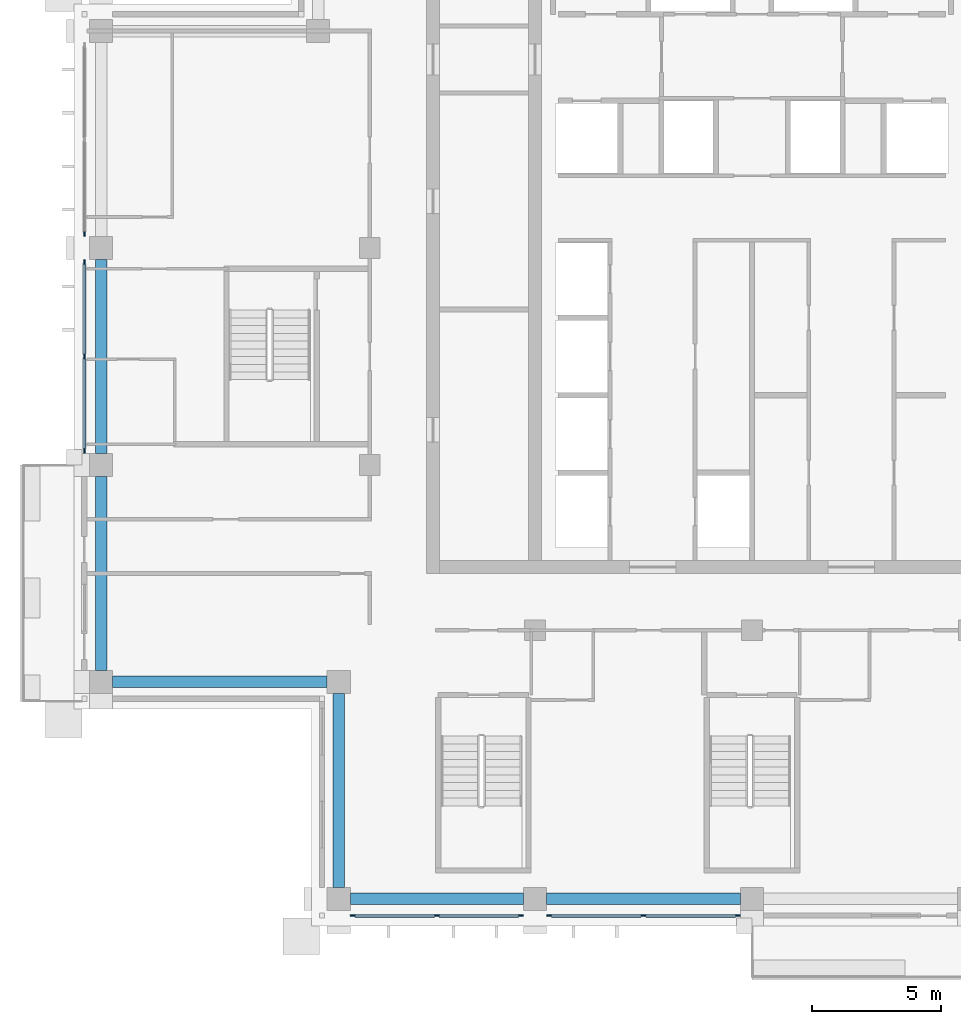
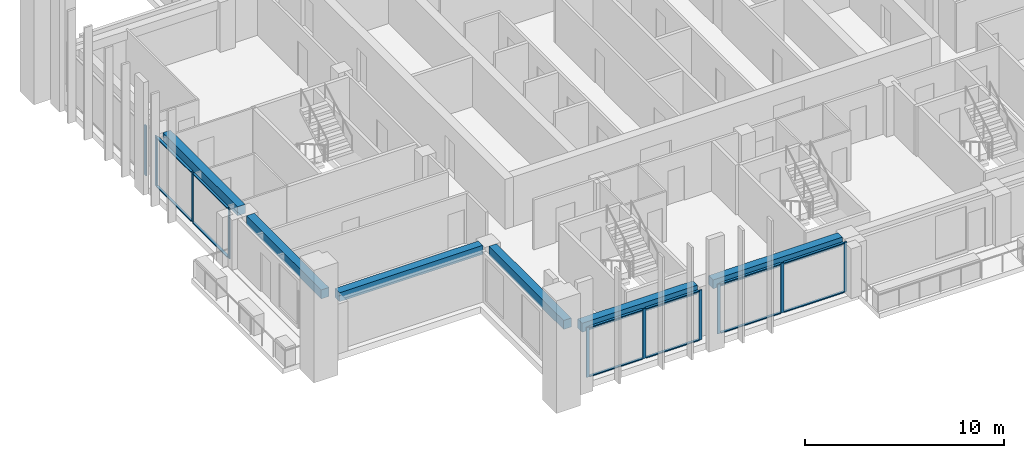
# One storey, part 2 of 18: 22 members, 6 beams, 4 elements without a shape of their own.
"""IFC4 building model written with IfcOpenShell, lengths in metres."""

from ifc_helpers import new_model, si_unit, direction, frame, origin, origin_2d, place, context, subcontext, project, spatial, rectangle, extrude, material, material_profile, profile_set, type_object, element, aggregate, save


model = new_model("IFC4")

# Units and contexts
model_context = context("Model", 3, precision=1e-05, world=origin(), true_north=direction((0.0, 1.0)))
body_context = subcontext(model_context, "Body", "Model", "MODEL_VIEW")
ifc_project = project(units=[si_unit("LENGTHUNIT", "METRE"), si_unit("AREAUNIT", "SQUARE_METRE"), si_unit("VOLUMEUNIT", "CUBIC_METRE"), si_unit("PLANEANGLEUNIT", "RADIAN"), si_unit("MASSUNIT", "GRAM", prefix="KILO")], contexts=[model_context])

# Site, building, storey
site_placement = place(None, origin())
site = spatial("IfcSite", under=ifc_project, at=site_placement, CompositionType="ELEMENT")
building_placement = place(site_placement, origin())
building = spatial("IfcBuilding", under=site, at=building_placement, Name="Vermilion Ogive Tower", CompositionType="ELEMENT")
storey_placement = place(building_placement, frame((0.0, 0.0, 254.5)))
storey = spatial("IfcBuildingStorey", under=building, at=storey_placement, Name="L67", CompositionType="ELEMENT", Elevation=254.5)

# Curtain wall, members
ifc_material_1 = material(Name="Low-iron laminated glazing in aluminium frame", Category="aluminium")
curtain_wall_type = type_object("IfcCurtainWallType", Name="Curtain wall CW7", PredefinedType="NOTDEFINED", material=ifc_material_1)
curtain_wall_1_placement = place(storey_placement, origin())
curtain_wall_1 = element("IfcCurtainWall", 1, at=curtain_wall_1_placement, inside=storey, type_object=curtain_wall_type, Name="Glazed skin S1", PredefinedType="NOTDEFINED")
ifc_material_2 = material(Name="Aluminium mullion", Category="aluminium")
ifc_material_profile_1 = material_profile(ifc_material_2, rectangle(XDim=0.06005859375, YDim=0.179931640625, at=origin_2d()), Name="AL 60x180")
ifc_profile_set_1 = profile_set([ifc_material_profile_1], Name="Aluminium mullion")
member_type_1 = type_object("IfcMemberType", Name="CW7 mullion 60x180", PredefinedType="MULLION", material=ifc_profile_set_1)
member_1_placement = place(storey_placement, frame((-15.4599609375, -21.64990234375, 0.0), z_axis=(0.0, 0.0, 1.0), x_axis=(0.0, 1.0, 0.0)))
member_1 = element("IfcMember", 2, at=member_1_placement, type_object=member_type_1, Name="CW7-S1 mullion 1", PredefinedType="MULLION", context=body_context, shape_type="SweptSolid", body=[
    extrude(rectangle(XDim=0.06005859375, YDim=0.179931640625, at=origin_2d()), origin(), (0.0, 0.0, 1.0), 3.050048828125),
])
member_2_placement = place(storey_placement, frame((-12.199951171875, -21.64990234375, 0.0), z_axis=(0.0, 0.0, 1.0), x_axis=(0.0, 1.0, 0.0)))
member_2 = element("IfcMember", 3, at=member_2_placement, type_object=member_type_1, Name="CW7-S1 mullion 2", PredefinedType="MULLION", context=body_context, shape_type="SweptSolid", body=[
    extrude(rectangle(XDim=0.06005859375, YDim=0.179931640625, at=origin_2d()), origin(), (0.0, 0.0, 1.0), 3.050048828125),
])
member_3_placement = place(storey_placement, frame((-8.93994140625, -21.64990234375, 0.0), z_axis=(0.0, 0.0, 1.0), x_axis=(0.0, 1.0, 0.0)))
member_3 = element("IfcMember", 4, at=member_3_placement, type_object=member_type_1, Name="CW7-S1 mullion 3", PredefinedType="MULLION", context=body_context, shape_type="SweptSolid", body=[
    extrude(rectangle(XDim=0.06005859375, YDim=0.179931640625, at=origin_2d()), origin(), (0.0, 0.0, 1.0), 3.050048828125),
])

curtain_wall_2_placement = place(storey_placement, origin())
curtain_wall_2 = element("IfcCurtainWall", 5, at=curtain_wall_2_placement, inside=storey, type_object=curtain_wall_type, Name="Glazed skin S2", PredefinedType="NOTDEFINED")
member_4_placement = place(storey_placement, frame((-7.860107421875, -21.64990234375, 0.0), z_axis=(0.0, 0.0, 1.0), x_axis=(0.0, 1.0, 0.0)))
member_4 = element("IfcMember", 6, at=member_4_placement, type_object=member_type_1, Name="CW7-S2 mullion 1", PredefinedType="MULLION", context=body_context, shape_type="SweptSolid", body=[
    extrude(rectangle(XDim=0.06005859375, YDim=0.179931640625, at=origin_2d()), origin(), (0.0, 0.0, 1.0), 3.050048828125),
])
member_5_placement = place(storey_placement, frame((-4.199951171875, -21.64990234375, 0.0), z_axis=(0.0, 0.0, 1.0), x_axis=(0.0, 1.0, 0.0)))
member_5 = element("IfcMember", 7, at=member_5_placement, type_object=member_type_1, Name="CW7-S2 mullion 2", PredefinedType="MULLION", context=body_context, shape_type="SweptSolid", body=[
    extrude(rectangle(XDim=0.06005859375, YDim=0.179931640625, at=origin_2d()), origin(), (0.0, 0.0, 1.0), 3.050048828125),
])
member_6_placement = place(storey_placement, frame((-0.5400390625, -21.64990234375, 0.0), z_axis=(0.0, 0.0, 1.0), x_axis=(0.0, 1.0, 0.0)))
member_6 = element("IfcMember", 8, at=member_6_placement, type_object=member_type_1, Name="CW7-S2 mullion 3", PredefinedType="MULLION", context=body_context, shape_type="SweptSolid", body=[
    extrude(rectangle(XDim=0.06005859375, YDim=0.179931640625, at=origin_2d()), origin(), (0.0, 0.0, 1.0), 3.050048828125),
])

# Curtain wall, member
curtain_wall_3_placement = place(storey_placement, origin())
curtain_wall_3 = element("IfcCurtainWall", 9, at=curtain_wall_3_placement, inside=storey, type_object=curtain_wall_type, Name="Glazed skin W1", PredefinedType="NOTDEFINED")
member_7_placement = place(storey_placement, frame((-25.85009765625, 4.739990234375, 0.0), z_axis=(0.0, 0.0, 1.0), x_axis=(1.0, 0.0, 0.0)))
member_7 = element("IfcMember", 10, at=member_7_placement, type_object=member_type_1, Name="CW7-W1 mullion 3", PredefinedType="MULLION", context=body_context, shape_type="SweptSolid", body=[
    extrude(rectangle(XDim=0.06005859375, YDim=0.179931640625, at=origin_2d()), origin(), (0.0, 0.0, 1.0), 3.050048828125),
])
aggregate(curtain_wall_3, [member_7])

# Curtain wall, members
curtain_wall_4_placement = place(storey_placement, origin())
curtain_wall_4 = element("IfcCurtainWall", 11, at=curtain_wall_4_placement, inside=storey, type_object=curtain_wall_type, Name="Glazed skin W2", PredefinedType="NOTDEFINED")
member_8_placement = place(storey_placement, frame((-25.85009765625, 3.659912109375, 0.0), z_axis=(0.0, 0.0, 1.0), x_axis=(1.0, 0.0, 0.0)))
member_8 = element("IfcMember", 12, at=member_8_placement, type_object=member_type_1, Name="CW7-W2 mullion 1", PredefinedType="MULLION", context=body_context, shape_type="SweptSolid", body=[
    extrude(rectangle(XDim=0.06005859375, YDim=0.179931640625, at=origin_2d()), origin(), (0.0, 0.0, 1.0), 3.050048828125),
])
member_9_placement = place(storey_placement, frame((-25.85009765625, 0.0, 0.0), z_axis=(0.0, 0.0, 1.0), x_axis=(1.0, 0.0, 0.0)))
member_9 = element("IfcMember", 13, at=member_9_placement, type_object=member_type_1, Name="CW7-W2 mullion 2", PredefinedType="MULLION", context=body_context, shape_type="SweptSolid", body=[
    extrude(rectangle(XDim=0.06005859375, YDim=0.179931640625, at=origin_2d()), origin(), (0.0, 0.0, 1.0), 3.050048828125),
])
member_10_placement = place(storey_placement, frame((-25.85009765625, -3.659912109375, 0.0), z_axis=(0.0, 0.0, 1.0), x_axis=(1.0, 0.0, 0.0)))
member_10 = element("IfcMember", 14, at=member_10_placement, type_object=member_type_1, Name="CW7-W2 mullion 3", PredefinedType="MULLION", context=body_context, shape_type="SweptSolid", body=[
    extrude(rectangle(XDim=0.06005859375, YDim=0.179931640625, at=origin_2d()), origin(), (0.0, 0.0, 1.0), 3.050048828125),
])

# Member
ifc_material_3 = material(Name="Aluminium transom", Category="aluminium")
ifc_material_profile_2 = material_profile(ifc_material_3, rectangle(XDim=0.139892578125, YDim=0.06005859375, at=origin_2d()), Name="AL 60x140")
ifc_profile_set_2 = profile_set([ifc_material_profile_2], Name="Aluminium transom")
member_type_2 = type_object("IfcMemberType", Name="CW7 transom 60x140", PredefinedType="USERDEFINED", material=ifc_profile_set_2)
member_11_placement = place(storey_placement, frame((-15.3701171875, -21.64990234375, 0.030029296875), z_axis=(1.0, 0.0, 0.0), x_axis=(0.0, 1.0, 0.0)))
member_11 = element("IfcMember", 15, at=member_11_placement, type_object=member_type_2, Name="CW7-S1 transom 1.1", ObjectType="TRANSOM", PredefinedType="USERDEFINED", context=body_context, shape_type="SweptSolid", body=[
    extrude(rectangle(XDim=0.139892578125, YDim=0.06005859375, at=origin_2d()), origin(), (0.0, 0.0, 1.0), 3.080078125),
])

member_12_placement = place(storey_placement, frame((-15.3701171875, -21.64990234375, 3.02001953125), z_axis=(1.0, 0.0, 0.0), x_axis=(0.0, 1.0, 0.0)))
member_12 = element("IfcMember", 16, at=member_12_placement, type_object=member_type_2, Name="CW7-S1 transom 1.2", ObjectType="TRANSOM", PredefinedType="USERDEFINED", context=body_context, shape_type="SweptSolid", body=[
    extrude(rectangle(XDim=0.139892578125, YDim=0.06005859375, at=origin_2d()), origin(), (0.0, 0.0, 1.0), 3.080078125),
])

member_13_placement = place(storey_placement, frame((-12.110107421875, -21.64990234375, 0.030029296875), z_axis=(1.0, 0.0, 0.0), x_axis=(0.0, 1.0, 0.0)))
member_13 = element("IfcMember", 17, at=member_13_placement, type_object=member_type_2, Name="CW7-S1 transom 2.1", ObjectType="TRANSOM", PredefinedType="USERDEFINED", context=body_context, shape_type="SweptSolid", body=[
    extrude(rectangle(XDim=0.139892578125, YDim=0.06005859375, at=origin_2d()), origin(), (0.0, 0.0, 1.0), 3.080078125),
])

member_14_placement = place(storey_placement, frame((-12.110107421875, -21.64990234375, 3.02001953125), z_axis=(1.0, 0.0, 0.0), x_axis=(0.0, 1.0, 0.0)))
member_14 = element("IfcMember", 18, at=member_14_placement, type_object=member_type_2, Name="CW7-S1 transom 2.2", ObjectType="TRANSOM", PredefinedType="USERDEFINED", context=body_context, shape_type="SweptSolid", body=[
    extrude(rectangle(XDim=0.139892578125, YDim=0.06005859375, at=origin_2d()), origin(), (0.0, 0.0, 1.0), 3.080078125),
])

aggregate(curtain_wall_1, [member_1, member_2, member_3, member_11, member_12, member_13, member_14])

member_15_placement = place(storey_placement, frame((-7.77001953125, -21.64990234375, 0.030029296875), z_axis=(1.0, 0.0, 0.0), x_axis=(0.0, 1.0, 0.0)))
member_15 = element("IfcMember", 19, at=member_15_placement, type_object=member_type_2, Name="CW7-S2 transom 1.1", ObjectType="TRANSOM", PredefinedType="USERDEFINED", context=body_context, shape_type="SweptSolid", body=[
    extrude(rectangle(XDim=0.139892578125, YDim=0.06005859375, at=origin_2d()), origin(), (0.0, 0.0, 1.0), 3.47998046875),
])

member_16_placement = place(storey_placement, frame((-7.77001953125, -21.64990234375, 3.02001953125), z_axis=(1.0, 0.0, 0.0), x_axis=(0.0, 1.0, 0.0)))
member_16 = element("IfcMember", 20, at=member_16_placement, type_object=member_type_2, Name="CW7-S2 transom 1.2", ObjectType="TRANSOM", PredefinedType="USERDEFINED", context=body_context, shape_type="SweptSolid", body=[
    extrude(rectangle(XDim=0.139892578125, YDim=0.06005859375, at=origin_2d()), origin(), (0.0, 0.0, 1.0), 3.47998046875),
])

member_17_placement = place(storey_placement, frame((-4.110107421875, -21.64990234375, 0.030029296875), z_axis=(1.0, 0.0, 0.0), x_axis=(0.0, 1.0, 0.0)))
member_17 = element("IfcMember", 21, at=member_17_placement, type_object=member_type_2, Name="CW7-S2 transom 2.1", ObjectType="TRANSOM", PredefinedType="USERDEFINED", context=body_context, shape_type="SweptSolid", body=[
    extrude(rectangle(XDim=0.139892578125, YDim=0.06005859375, at=origin_2d()), origin(), (0.0, 0.0, 1.0), 3.480224609375),
])

member_18_placement = place(storey_placement, frame((-4.110107421875, -21.64990234375, 3.02001953125), z_axis=(1.0, 0.0, 0.0), x_axis=(0.0, 1.0, 0.0)))
member_18 = element("IfcMember", 22, at=member_18_placement, type_object=member_type_2, Name="CW7-S2 transom 2.2", ObjectType="TRANSOM", PredefinedType="USERDEFINED", context=body_context, shape_type="SweptSolid", body=[
    extrude(rectangle(XDim=0.139892578125, YDim=0.06005859375, at=origin_2d()), origin(), (0.0, 0.0, 1.0), 3.480224609375),
])

aggregate(curtain_wall_2, [member_4, member_5, member_6, member_15, member_16, member_17, member_18])

member_19_placement = place(storey_placement, frame((-25.85009765625, 3.570068359375, 0.030029296875), z_axis=(0.0, -1.0, 0.0), x_axis=(1.0, 0.0, 0.0)))
member_19 = element("IfcMember", 23, at=member_19_placement, type_object=member_type_2, Name="CW7-W2 transom 1.1", ObjectType="TRANSOM", PredefinedType="USERDEFINED", context=body_context, shape_type="SweptSolid", body=[
    extrude(rectangle(XDim=0.139892578125, YDim=0.06005859375, at=origin_2d()), origin(), (0.0, 0.0, 1.0), 3.47998046875),
])

member_20_placement = place(storey_placement, frame((-25.85009765625, 3.570068359375, 3.02001953125), z_axis=(0.0, -1.0, 0.0), x_axis=(1.0, 0.0, 0.0)))
member_20 = element("IfcMember", 24, at=member_20_placement, type_object=member_type_2, Name="CW7-W2 transom 1.2", ObjectType="TRANSOM", PredefinedType="USERDEFINED", context=body_context, shape_type="SweptSolid", body=[
    extrude(rectangle(XDim=0.139892578125, YDim=0.06005859375, at=origin_2d()), origin(), (0.0, 0.0, 1.0), 3.47998046875),
])

member_21_placement = place(storey_placement, frame((-25.85009765625, -0.090087890625, 0.030029296875), z_axis=(0.0, -1.0, 0.0), x_axis=(1.0, 0.0, 0.0)))
member_21 = element("IfcMember", 25, at=member_21_placement, type_object=member_type_2, Name="CW7-W2 transom 2.1", ObjectType="TRANSOM", PredefinedType="USERDEFINED", context=body_context, shape_type="SweptSolid", body=[
    extrude(rectangle(XDim=0.139892578125, YDim=0.06005859375, at=origin_2d()), origin(), (0.0, 0.0, 1.0), 3.47998046875),
])

member_22_placement = place(storey_placement, frame((-25.85009765625, -0.090087890625, 3.02001953125), z_axis=(0.0, -1.0, 0.0), x_axis=(1.0, 0.0, 0.0)))
member_22 = element("IfcMember", 26, at=member_22_placement, type_object=member_type_2, Name="CW7-W2 transom 2.2", ObjectType="TRANSOM", PredefinedType="USERDEFINED", context=body_context, shape_type="SweptSolid", body=[
    extrude(rectangle(XDim=0.139892578125, YDim=0.06005859375, at=origin_2d()), origin(), (0.0, 0.0, 1.0), 3.47998046875),
])

aggregate(curtain_wall_4, [member_8, member_9, member_10, member_19, member_20, member_21, member_22])

# Beams
ifc_material_4 = material(Name="Concrete B45", Category="concrete")
ifc_material_profile_3 = material_profile(ifc_material_4, rectangle(XDim=0.449951171875, YDim=0.550048828125, at=origin_2d()), Name="450 x 550")
ifc_profile_set_3 = profile_set([ifc_material_profile_3], Name="Concrete B45")
beam_type = type_object("IfcBeamType", Name="Edge beam 450 x 550 B45", PredefinedType="BEAM", material=ifc_profile_set_3)
beam_1_placement = place(storey_placement, frame((-15.550048828125, -21.0, 2.77490234375), z_axis=(1.0, 0.0, 0.0), x_axis=(0.0, 1.0, 0.0)))
element("IfcBeam", 27, at=beam_1_placement, inside=storey, type_object=beam_type, Name="L67-EB-1", PredefinedType="BEAM", context=body_context, shape_type="SweptSolid", body=[
    extrude(rectangle(XDim=0.449951171875, YDim=0.550048828125, at=origin_2d()), origin(), (0.0, 0.0, 1.0), 6.699951171875),
])
for number, where, z_axis, x_axis, name in (
    (28, (-7.949951171875, -21.0, 2.77490234375), (1.0, 0.0, 0.0), (0.0, 1.0, 0.0), "L67-EB-2"),
    (29, (-25.199951171875, 3.75, 2.77490234375), (0.0, -1.0, 0.0), (1.0, 0.0, 0.0), "L67-EB-15"),
    (30, (-25.199951171875, -4.64990234375, 2.77490234375), (0.0, -1.0, 0.0), (1.0, 0.0, 0.0), "L67-EB-16"),
):
    element("IfcBeam", number, at=place(storey_placement, frame(where, z_axis=z_axis, x_axis=x_axis)), inside=storey, type_object=beam_type, Name=name, PredefinedType="BEAM", context=body_context, shape_type="SweptSolid", body=[
        extrude(rectangle(XDim=0.449951171875, YDim=0.550048828125, at=origin_2d()), origin(), (0.0, 0.0, 1.0), 7.5),
    ])
beam_2_placement = place(storey_placement, frame((-24.75, -12.60009765625, 2.77490234375), z_axis=(1.0, 0.0, 0.0), x_axis=(0.0, 1.0, 0.0)))
element("IfcBeam", 31, at=beam_2_placement, inside=storey, type_object=beam_type, Name="L67-EB-17", PredefinedType="BEAM", context=body_context, shape_type="SweptSolid", body=[
    extrude(rectangle(XDim=0.449951171875, YDim=0.550048828125, at=origin_2d()), origin(), (0.0, 0.0, 1.0), 8.300048828125),
])
beam_3_placement = place(storey_placement, frame((-16.0, -13.050048828125, 2.77490234375), z_axis=(0.0, -1.0, 0.0), x_axis=(1.0, 0.0, 0.0)))
element("IfcBeam", 32, at=beam_3_placement, inside=storey, type_object=beam_type, Name="L67-EB-18", PredefinedType="BEAM", context=body_context, shape_type="SweptSolid", body=[
    extrude(rectangle(XDim=0.449951171875, YDim=0.550048828125, at=origin_2d()), origin(), (0.0, 0.0, 1.0), 7.5),
])

save(model, "model.ifc")
